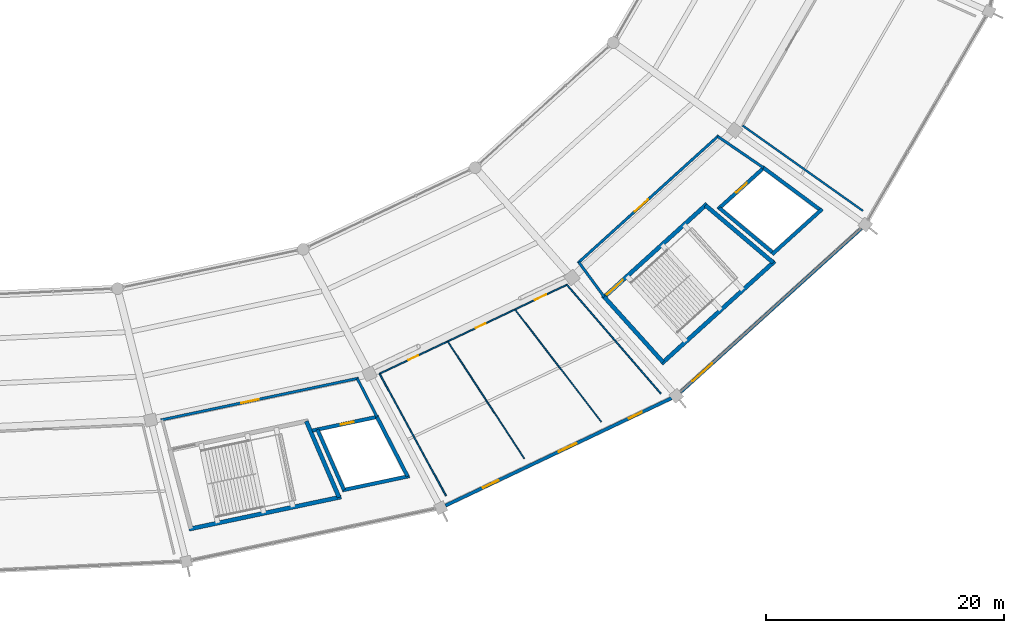
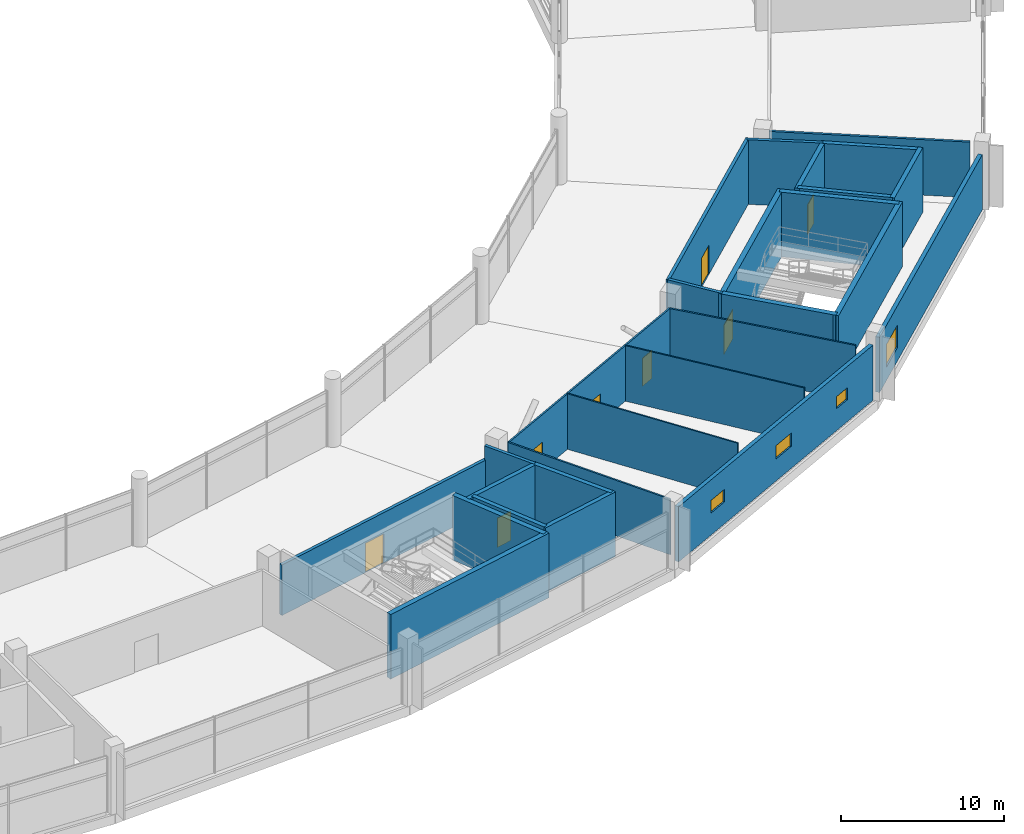
# One storey, part 147 of 184: 27 walls, 8 doors, 4 windows, 12 openings.
"""IFC4 building model written with IfcOpenShell, lengths in metres."""

from ifc_helpers import new_model, si_unit, direction, frame, frame_2d, origin, place, context, subcontext, project, spatial, rectangle, extrude, material, layer, layer_set, type_object, element, fill, save


model = new_model("IFC4")

# Units and contexts
model_context = context("Model", 3, precision=1e-05, world=origin(), true_north=direction((0.0, 1.0)))
body_context = subcontext(model_context, "Body", "Model", "MODEL_VIEW")
ifc_project = project(units=[si_unit("LENGTHUNIT", "METRE"), si_unit("AREAUNIT", "SQUARE_METRE"), si_unit("VOLUMEUNIT", "CUBIC_METRE"), si_unit("PLANEANGLEUNIT", "RADIAN"), si_unit("MASSUNIT", "GRAM", prefix="KILO")], contexts=[model_context])

# Site, building, storey
site_placement = place(None, origin())
site = spatial("IfcSite", under=ifc_project, at=site_placement, CompositionType="ELEMENT")
building_placement = place(site_placement, origin())
building = spatial("IfcBuilding", under=site, at=building_placement, Name="Kazemori Nagisa Stadium", CompositionType="ELEMENT")
storey_placement = place(building_placement, frame((0.0, 0.0, 10.5400390625)))
storey = spatial("IfcBuildingStorey", under=building, at=storey_placement, Name="L02", CompositionType="ELEMENT", Elevation=10.5400390625)

# Walls
ifc_material_1 = material(Name="Concrete C40/50 (Fc42)", Category="concrete")
ifc_layer_1 = layer(ifc_material_1, 0.35009765625, Name="Concrete C40/50 (Fc42)", Category="concrete")
ifc_layer_set_1 = layer_set([ifc_layer_1], Name="Concrete C40/50 (Fc42)")
wall_type_1 = type_object("IfcWallType", Name="Wall_W-CORE-350", PredefinedType="SHEAR", material=ifc_layer_set_1)
wall_1_placement = place(storey_placement, frame((144.650390625, 19.745849609375, 0.0), z_axis=(0.0, 0.0, 1.0), x_axis=(0.978345119536, 0.206980257705, 0.0)))
element("IfcWall", 1, at=wall_1_placement, inside=storey, type_object=wall_type_1, Name="Core stair rear shear wall ST06 L02", PredefinedType="SHEAR", context=body_context, shape_type="SweptSolid", body=[
    extrude(rectangle(XDim=13.06689453125, YDim=0.35009765625, at=frame_2d((6.533447265625, 0.0))), origin(), (0.0, 0.0, 1.0), 4.83984375),
])
wall_2_placement = place(storey_placement, frame((154.5078125, 28.81396484375, 0.0), z_axis=(0.0, 0.0, 1.0), x_axis=(0.395453834155, -0.918485854574, 0.0)))
element("IfcWall", 2, at=wall_2_placement, inside=storey, type_object=wall_type_1, Name="Core stair right shear wall ST06 L02", PredefinedType="SHEAR", context=body_context, shape_type="SweptSolid", body=[
    extrude(rectangle(XDim=6.967529296875, YDim=0.35009765625, at=frame_2d((3.48388671875, 0.0))), origin(), (0.0, 0.0, 1.0), 4.83984375),
])

# Wall, opening, door
wall_3_placement = place(storey_placement, frame((179.416748046875, 39.139892578125, 0.0), z_axis=(0.0, 0.0, 1.0), x_axis=(0.741348929385, 0.671119784315, 0.0)))
wall_3 = element("IfcWall", 3, at=wall_3_placement, inside=storey, type_object=wall_type_1, Name="Core stair front shear wall ST04 L02", PredefinedType="SHEAR", context=body_context, shape_type="SweptSolid", body=[
    extrude(rectangle(XDim=11.826416015625, YDim=0.35009765625, at=frame_2d((5.9130859375, 0.0))), origin(), (0.0, 0.0, 1.0), 4.83984375),
])
opening_1_placement = place(wall_3_placement, frame((0.47509765625, 0.0, 0.0)))
opening_1 = element("IfcOpeningElement", 4, at=opening_1_placement, cuts=wall_3, Name="Opening D-ST-1800", PredefinedType="OPENING", context=body_context, shape_type="SweptSolid", body=[
    extrude(rectangle(XDim=1.800048828125, YDim=2.199951171875, at=frame_2d((0.89990234375, 1.10009765625))), frame((0.0, 0.18505859375, 0.0), z_axis=(0.0, -1.0, 0.0), x_axis=(1.0, 0.0, 0.0)), (0.0, 0.0, 1.0), 0.3701171875),
])
ifc_material_2 = material(Name="Galvanised steel sheet", Category="steel")
door_type_1 = type_object("IfcDoorType", Name="Door_D-ST-1800", OperationType="NOTDEFINED", PredefinedType="DOOR", material=ifc_material_2)
door_1_placement = place(opening_1_placement, frame((1.800048828125, 0.0, 0.0), z_axis=(0.0, 0.0, 1.0), x_axis=(-1.0, 0.0, 0.0)))
door_1 = element("IfcDoor", 5, at=door_1_placement, inside=storey, type_object=door_type_1, Name="Exit stair fire door ST04-L02", OperationType="SINGLE_SWING_LEFT", OverallHeight=2.199951171875, OverallWidth=1.800048828125, PredefinedType="DOOR", context=body_context, shape_type="SweptSolid", body=[
    extrude(rectangle(XDim=1.800048828125, YDim=2.199951171875, at=frame_2d((0.89990234375, 1.10009765625))), frame((0.0, 0.02490234375, 0.0), z_axis=(0.0, -1.0, 0.0), x_axis=(1.0, 0.0, 0.0)), (0.0, 0.0, 1.0), 0.050048828125),
])
fill(opening_1, door_1)

# Walls
wall_4_placement = place(storey_placement, frame((184.361328125, 33.6533203125, 0.0), z_axis=(0.0, 0.0, 1.0), x_axis=(0.741351373721, 0.671117084183, 0.0)))
element("IfcWall", 6, at=wall_4_placement, inside=storey, type_object=wall_type_1, Name="Core stair rear shear wall ST04 L02", PredefinedType="SHEAR", context=body_context, shape_type="SweptSolid", body=[
    extrude(rectangle(XDim=12.830322265625, YDim=0.35009765625, at=frame_2d((6.4150390625, 0.0))), origin(), (0.0, 0.0, 1.0), 4.83984375),
])
wall_5_placement = place(storey_placement, frame((179.54638671875, 39.25732421875, 0.0), z_axis=(0.0, 0.0, 1.0), x_axis=(0.669463145673, -0.742845270958, 0.0)))
element("IfcWall", 7, at=wall_5_placement, inside=storey, type_object=wall_type_1, Name="Core stair left shear wall ST04 L02", PredefinedType="SHEAR", context=body_context, shape_type="SweptSolid", body=[
    extrude(rectangle(XDim=7.385986328125, YDim=0.35009765625, at=frame_2d((3.69287109375, 0.0))), origin(), (0.0, 0.0, 1.0), 4.83984375),
])
wall_6_placement = place(storey_placement, frame((188.0546875, 46.95947265625, 0.0), z_axis=(0.0, 0.0, 1.0), x_axis=(0.763422324031, -0.64589964791, 0.0)))
element("IfcWall", 8, at=wall_6_placement, inside=storey, type_object=wall_type_1, Name="Core stair right shear wall ST04 L02", PredefinedType="SHEAR", context=body_context, shape_type="SweptSolid", body=[
    extrude(rectangle(XDim=7.45166015625, YDim=0.35009765625, at=frame_2d((3.725830078125, 0.0))), origin(), (0.0, 0.0, 1.0), 4.83984375),
])

# Wall, openings, windows
ifc_material_3 = material(Name="Concrete C40/50 (Fc42) precast", Category="concrete")
ifc_layer_2 = layer(ifc_material_3, 0.27490234375, Name="Concrete C40/50 (Fc42) precast", Category="concrete")
ifc_layer_set_2 = layer_set([ifc_layer_2], Name="Concrete C40/50 (Fc42) precast")
wall_type_2 = type_object("IfcWallType", Name="Wall_W-EXT-275", PredefinedType="SOLIDWALL", material=ifc_layer_set_2)
wall_7_placement = place(storey_placement, frame((166.2021484375, 21.724609375, 0.0), z_axis=(0.0, 0.0, 1.0), x_axis=(0.903214855299, 0.429188682478, 0.0)))
wall_7 = element("IfcWall", 9, at=wall_7_placement, inside=storey, type_object=wall_type_2, Name="Exterior facade wall L02-24", PredefinedType="SOLIDWALL", context=body_context, shape_type="SweptSolid", body=[
    extrude(rectangle(XDim=21.0341796875, YDim=0.27490234375, at=frame_2d((10.51708984375, 0.0))), origin(), (0.0, 0.0, 1.0), 4.137939453125),
])
opening_2_placement = place(wall_7_placement, frame((3.48193359375, 0.0, 1.64990234375)))
opening_2 = element("IfcOpeningElement", 10, at=opening_2_placement, cuts=wall_7, Name="Opening WIN-WC-1450", PredefinedType="OPENING", context=body_context, shape_type="SweptSolid", body=[
    extrude(rectangle(XDim=1.449951171875, YDim=0.949951171875, at=frame_2d((0.72509765625, 0.47509765625))), frame((0.0, 0.1474609375, 0.0), z_axis=(0.0, -1.0, 0.0), x_axis=(1.0, 0.0, 0.0)), (0.0, 0.0, 1.0), 0.294921875),
])
opening_3_placement = place(wall_7_placement, frame((10.532958984375, 0.0, 1.64990234375)))
opening_3 = element("IfcOpeningElement", 11, at=opening_3_placement, cuts=wall_7, Name="Opening WIN-WC-1650", PredefinedType="OPENING", context=body_context, shape_type="SweptSolid", body=[
    extrude(rectangle(XDim=1.64990234375, YDim=1.0, at=frame_2d((0.824951171875, 0.5))), frame((0.0, 0.1474609375, 0.0), z_axis=(0.0, -1.0, 0.0), x_axis=(1.0, 0.0, 0.0)), (0.0, 0.0, 1.0), 0.294921875),
])
opening_4_placement = place(wall_7_placement, frame((17.069091796875, 0.0, 1.64990234375)))
opening_4 = element("IfcOpeningElement", 12, at=opening_4_placement, cuts=wall_7, Name="Opening WIN-WC-1200", PredefinedType="OPENING", context=body_context, shape_type="SweptSolid", body=[
    extrude(rectangle(XDim=1.199951171875, YDim=0.89990234375, at=frame_2d((0.60009765625, 0.449951171875))), frame((0.0, 0.1474609375, 0.0), z_axis=(0.0, -1.0, 0.0), x_axis=(1.0, 0.0, 0.0)), (0.0, 0.0, 1.0), 0.294921875),
])
ifc_material_4 = material(Name="Low-e laminated double glazing", Category="glass")
window_type_1 = type_object("IfcWindowType", Name="Window_WIN-WC-1200", PartitioningType="SINGLE_PANEL", PredefinedType="WINDOW", material=ifc_material_4)
window_1_placement = place(opening_4_placement, origin())
window_1 = element("IfcWindow", 13, at=window_1_placement, inside=storey, type_object=window_type_1, Name="Sanitary clerestory window L02-24-3", OverallHeight=0.89990234375, OverallWidth=1.199951171875, PartitioningType="SINGLE_PANEL", PredefinedType="WINDOW", context=body_context, shape_type="SweptSolid", body=[
    extrude(rectangle(XDim=1.199951171875, YDim=0.89990234375, at=frame_2d((0.60009765625, 0.449951171875))), frame((0.0, 0.030029296875, 0.0), z_axis=(0.0, -1.0, 0.0), x_axis=(1.0, 0.0, 0.0)), (0.0, 0.0, 1.0), 0.06005859375),
])
fill(opening_4, window_1)
window_type_2 = type_object("IfcWindowType", Name="Window_WIN-WC-1450", PartitioningType="SINGLE_PANEL", PredefinedType="WINDOW", material=ifc_material_4)
window_2_placement = place(opening_2_placement, origin())
window_2 = element("IfcWindow", 14, at=window_2_placement, inside=storey, type_object=window_type_2, Name="Sanitary clerestory window L02-24-1", OverallHeight=0.949951171875, OverallWidth=1.449951171875, PartitioningType="SINGLE_PANEL", PredefinedType="WINDOW", context=body_context, shape_type="SweptSolid", body=[
    extrude(rectangle(XDim=1.449951171875, YDim=0.949951171875, at=frame_2d((0.72509765625, 0.47509765625))), frame((0.0, 0.030029296875, 0.0), z_axis=(0.0, -1.0, 0.0), x_axis=(1.0, 0.0, 0.0)), (0.0, 0.0, 1.0), 0.06005859375),
])
fill(opening_2, window_2)
window_type_3 = type_object("IfcWindowType", Name="Window_WIN-WC-1650", PartitioningType="SINGLE_PANEL", PredefinedType="WINDOW", material=ifc_material_4)
window_3_placement = place(opening_3_placement, origin())
window_3 = element("IfcWindow", 15, at=window_3_placement, inside=storey, type_object=window_type_3, Name="Sanitary clerestory window L02-24-2", OverallHeight=1.0, OverallWidth=1.64990234375, PartitioningType="SINGLE_PANEL", PredefinedType="WINDOW", context=body_context, shape_type="SweptSolid", body=[
    extrude(rectangle(XDim=1.64990234375, YDim=1.0, at=frame_2d((0.824951171875, 0.5))), frame((0.0, 0.030029296875, 0.0), z_axis=(0.0, -1.0, 0.0), x_axis=(1.0, 0.0, 0.0)), (0.0, 0.0, 1.0), 0.06005859375),
])
fill(opening_3, window_3)

# Wall, opening, window
wall_8_placement = place(storey_placement, frame((185.924072265625, 31.236328125, 0.0), z_axis=(0.0, 0.0, 1.0), x_axis=(0.741352367697, 0.671115986183, 0.0)))
wall_8 = element("IfcWall", 16, at=wall_8_placement, inside=storey, type_object=wall_type_2, Name="Exterior facade wall L02-25", PredefinedType="SOLIDWALL", context=body_context, shape_type="SweptSolid", body=[
    extrude(rectangle(XDim=20.56396484375, YDim=0.27490234375, at=frame_2d((10.281982421875, 0.0))), origin(), (0.0, 0.0, 1.0), 4.137939453125),
])
opening_5_placement = place(wall_8_placement, frame((1.39990234375, 0.0, 1.0)))
opening_5 = element("IfcOpeningElement", 17, at=opening_5_placement, cuts=wall_8, Name="Opening WIN-L02-2200", PredefinedType="OPENING", context=body_context, shape_type="SweptSolid", body=[
    extrude(rectangle(XDim=2.199951171875, YDim=1.699951171875, at=frame_2d((1.10009765625, 0.85009765625))), frame((0.0, 0.1474609375, 0.0), z_axis=(0.0, -1.0, 0.0), x_axis=(1.0, 0.0, 0.0)), (0.0, 0.0, 1.0), 0.294921875),
])
window_type_4 = type_object("IfcWindowType", Name="Window_WIN-L02-2200", PartitioningType="SINGLE_PANEL", PredefinedType="WINDOW", material=ifc_material_4)
window_4_placement = place(opening_5_placement, origin())
window_4 = element("IfcWindow", 18, at=window_4_placement, inside=storey, type_object=window_type_4, Name="Core lobby window L02-25", OverallHeight=1.699951171875, OverallWidth=2.199951171875, PartitioningType="SINGLE_PANEL", PredefinedType="WINDOW", context=body_context, shape_type="SweptSolid", body=[
    extrude(rectangle(XDim=2.199951171875, YDim=1.699951171875, at=frame_2d((1.10009765625, 0.85009765625))), frame((0.0, 0.030029296875, 0.0), z_axis=(0.0, -1.0, 0.0), x_axis=(1.0, 0.0, 0.0)), (0.0, 0.0, 1.0), 0.06005859375),
])
fill(opening_5, window_4)

# Wall, opening, door
ifc_material_5 = material(Name="Concrete C36/45 (Fc36)", Category="concrete")
ifc_layer_3 = layer(ifc_material_5, 0.219970703125, Name="Concrete C36/45 (Fc36)", Category="concrete")
ifc_layer_set_3 = layer_set([ifc_layer_3], Name="Concrete C36/45 (Fc36)")
wall_type_3 = type_object("IfcWallType", Name="Wall_W-LOBBY-220", PredefinedType="SOLIDWALL", material=ifc_layer_set_3)
wall_9_placement = place(storey_placement, frame((142.284423828125, 28.91357421875, 0.0), z_axis=(0.0, 0.0, 1.0), x_axis=(0.97834522483, 0.206979760008, 0.0)))
wall_9 = element("IfcWall", 19, at=wall_9_placement, inside=storey, type_object=wall_type_3, Name="Core lobby fire wall ST06 L02", PredefinedType="SOLIDWALL", context=body_context, shape_type="SweptSolid", body=[
    extrude(rectangle(XDim=16.98291015625, YDim=0.219970703125, at=frame_2d((8.491455078125, 0.0))), origin(), (0.0, 0.0, 1.0), 3.787841796875),
])
opening_6_placement = place(wall_9_placement, frame((6.903076171875, 0.0, 0.0)))
opening_6 = element("IfcOpeningElement", 20, at=opening_6_placement, cuts=wall_9, Name="Opening D-FFL-1500", PredefinedType="OPENING", context=body_context, shape_type="SweptSolid", body=[
    extrude(rectangle(XDim=1.5, YDim=2.199951171875, at=frame_2d((0.75, 1.10009765625))), frame((0.0, 0.119873046875, 0.0), z_axis=(0.0, -1.0, 0.0), x_axis=(1.0, 0.0, 0.0)), (0.0, 0.0, 1.0), 0.239990234375),
])
door_type_2 = type_object("IfcDoorType", Name="Door_D-FFL-1500", OperationType="NOTDEFINED", PredefinedType="DOOR", material=ifc_material_2)
door_2_placement = place(opening_6_placement, frame((1.5, 0.0, 0.0), z_axis=(0.0, 0.0, 1.0), x_axis=(-1.0, 0.0, 0.0)))
door_2 = element("IfcDoor", 21, at=door_2_placement, inside=storey, type_object=door_type_2, Name="Protected lobby fire door ST06-L02", OperationType="DOUBLE_DOOR_SINGLE_SWING", OverallHeight=2.199951171875, OverallWidth=1.5, PredefinedType="DOOR", context=body_context, shape_type="SweptSolid", body=[
    extrude(rectangle(XDim=1.5, YDim=2.199951171875, at=frame_2d((0.75, 1.10009765625))), frame((0.0, 0.02490234375, 0.0), z_axis=(0.0, -1.0, 0.0), x_axis=(1.0, 0.0, 0.0)), (0.0, 0.0, 1.0), 0.050048828125),
])
fill(opening_6, door_2)

# Wall
wall_10_placement = place(storey_placement, frame((158.7919921875, 32.406005859375, 0.0), z_axis=(0.0, 0.0, 1.0), x_axis=(0.457349531643, -0.889287021105, 0.0)))
element("IfcWall", 22, at=wall_10_placement, inside=storey, type_object=wall_type_3, Name="Core lobby right wall ST06 L02", PredefinedType="SOLIDWALL", context=body_context, shape_type="SweptSolid", body=[
    extrude(rectangle(XDim=3.631591796875, YDim=0.219970703125, at=frame_2d((1.81591796875, 0.0))), origin(), (0.0, 0.0, 1.0), 4.83984375),
])

# Wall, opening, door
wall_11_placement = place(storey_placement, frame((177.327392578125, 42.10205078125, 0.0), z_axis=(0.0, 0.0, 1.0), x_axis=(0.741351035574, 0.671117457717, 0.0)))
wall_11 = element("IfcWall", 23, at=wall_11_placement, inside=storey, type_object=wall_type_3, Name="Core lobby fire wall ST04 L02", PredefinedType="SOLIDWALL", context=body_context, shape_type="SweptSolid", body=[
    extrude(rectangle(XDim=15.96923828125, YDim=0.219970703125, at=frame_2d((7.984619140625, 0.0))), origin(), (0.0, 0.0, 1.0), 4.83984375),
])
opening_7_placement = place(wall_11_placement, frame((6.447021484375, 0.0, 0.0)))
opening_7 = element("IfcOpeningElement", 24, at=opening_7_placement, cuts=wall_11, Name="Opening D-FFL-1500", PredefinedType="OPENING", context=body_context, shape_type="SweptSolid", body=[
    extrude(rectangle(XDim=1.5, YDim=2.199951171875, at=frame_2d((0.75, 1.10009765625))), frame((0.0, 0.119873046875, 0.0), z_axis=(0.0, -1.0, 0.0), x_axis=(1.0, 0.0, 0.0)), (0.0, 0.0, 1.0), 0.239990234375),
])
door_3_placement = place(opening_7_placement, frame((1.5, 0.0, 0.0), z_axis=(0.0, 0.0, 1.0), x_axis=(-1.0, 0.0, 0.0)))
door_3 = element("IfcDoor", 25, at=door_3_placement, inside=storey, type_object=door_type_2, Name="Protected lobby fire door ST04-L02", OperationType="DOUBLE_DOOR_SINGLE_SWING", OverallHeight=2.199951171875, OverallWidth=1.5, PredefinedType="DOOR", context=body_context, shape_type="SweptSolid", body=[
    extrude(rectangle(XDim=1.5, YDim=2.199951171875, at=frame_2d((0.75, 1.10009765625))), frame((0.0, 0.02490234375, 0.0), z_axis=(0.0, -1.0, 0.0), x_axis=(1.0, 0.0, 0.0)), (0.0, 0.0, 1.0), 0.050048828125),
])
fill(opening_7, door_3)

# Walls
wall_12_placement = place(storey_placement, frame((177.408935546875, 42.176025390625, 0.0), z_axis=(0.0, 0.0, 1.0), x_axis=(0.590836915359, -0.806791013491, 0.0)))
element("IfcWall", 26, at=wall_12_placement, inside=storey, type_object=wall_type_3, Name="Core lobby left wall ST04 L02", PredefinedType="SOLIDWALL", context=body_context, shape_type="SweptSolid", body=[
    extrude(rectangle(XDim=3.61767578125, YDim=0.219970703125, at=frame_2d((1.808837890625, 0.0))), origin(), (0.0, 0.0, 1.0), 4.83984375),
])
wall_13_placement = place(storey_placement, frame((189.084716796875, 52.74560546875, 0.0), z_axis=(0.0, 0.0, 1.0), x_axis=(0.825385410642, -0.564569680287, 0.0)))
element("IfcWall", 27, at=wall_13_placement, inside=storey, type_object=wall_type_3, Name="Core lobby right wall ST04 L02", PredefinedType="SOLIDWALL", context=body_context, shape_type="SweptSolid", body=[
    extrude(rectangle(XDim=4.673828125, YDim=0.219970703125, at=frame_2d((2.3369140625, 0.0))), origin(), (0.0, 0.0, 1.0), 4.83984375),
])
ifc_material_6 = material(Name="High-pressure phenolic compact laminate", Category="gypsum")
ifc_layer_4 = layer(ifc_material_6, 0.10009765625, Name="High-pressure phenolic compact laminate", Category="gypsum")
ifc_layer_set_4 = layer_set([ifc_layer_4], Name="High-pressure phenolic compact laminate")
wall_type_4 = type_object("IfcWallType", Name="Wall_W-PART-100", PredefinedType="PARTITIONING", material=ifc_layer_set_4)
wall_14_placement = place(storey_placement, frame((166.394287109375, 35.525146484375, 0.0), z_axis=(0.0, 0.0, 1.0), x_axis=(0.546626140003, -0.837376774854, 0.0)))
element("IfcWall", 28, at=wall_14_placement, inside=storey, type_object=wall_type_4, Name="Sanitary divider partition L02-B24-1", PredefinedType="PARTITIONING", context=body_context, shape_type="SweptSolid", body=[
    extrude(rectangle(XDim=11.7607421875, YDim=0.10009765625, at=frame_2d((5.88037109375, 0.0))), origin(), (0.0, 0.0, 1.0), 4.159912109375),
])
wall_15_placement = place(storey_placement, frame((172.04248046875, 38.209228515625, 0.0), z_axis=(0.0, 0.0, 1.0), x_axis=(0.609492992165, -0.792791455871, 0.0)))
element("IfcWall", 29, at=wall_15_placement, inside=storey, type_object=wall_type_4, Name="Sanitary divider partition L02-B24-2", PredefinedType="PARTITIONING", context=body_context, shape_type="SweptSolid", body=[
    extrude(rectangle(XDim=11.920654296875, YDim=0.10009765625, at=frame_2d((5.96044921875, 0.0))), origin(), (0.0, 0.0, 1.0), 4.159912109375),
])

# Wall, openings, doors
ifc_material_7 = material(Name="Moisture-resistant gypsum board", Category="gypsum")
ifc_layer_5 = layer(ifc_material_7, 0.114990234375, Name="Moisture-resistant gypsum board", Category="gypsum")
ifc_layer_set_5 = layer_set([ifc_layer_5], Name="Moisture-resistant gypsum board")
wall_type_5 = type_object("IfcWallType", Name="Wall_W-PART-115", PredefinedType="PARTITIONING", material=ifc_layer_set_5)
wall_16_placement = place(storey_placement, frame((160.667236328125, 32.803955078125, 0.0), z_axis=(0.0, 0.0, 1.0), x_axis=(0.903217202186, 0.429183743488, 0.0)))
wall_16 = element("IfcWall", 30, at=wall_16_placement, inside=storey, type_object=wall_type_5, Name="Sanitary block corridor partition L02-B24", PredefinedType="PARTITIONING", context=body_context, shape_type="SweptSolid", body=[
    extrude(rectangle(XDim=17.419189453125, YDim=0.114990234375, at=frame_2d((8.70947265625, 0.0))), origin(), (0.0, 0.0, 1.0), 4.159912109375),
])
opening_8_placement = place(wall_16_placement, frame((2.68505859375, 0.0, 0.0)))
opening_8 = element("IfcOpeningElement", 31, at=opening_8_placement, cuts=wall_16, Name="Opening D-WC-900", PredefinedType="OPENING", context=body_context, shape_type="SweptSolid", body=[
    extrude(rectangle(XDim=0.89990234375, YDim=2.10009765625, at=frame_2d((0.449951171875, 1.050048828125))), frame((0.0, 0.0673828125, 0.0), z_axis=(0.0, -1.0, 0.0), x_axis=(1.0, 0.0, 0.0)), (0.0, 0.0, 1.0), 0.135009765625),
])
opening_9_placement = place(wall_16_placement, frame((8.9560546875, 0.0, 0.0)))
opening_9 = element("IfcOpeningElement", 32, at=opening_9_placement, cuts=wall_16, Name="Opening D-WC-900", PredefinedType="OPENING", context=body_context, shape_type="SweptSolid", body=[
    extrude(rectangle(XDim=0.89990234375, YDim=2.10009765625, at=frame_2d((0.449951171875, 1.050048828125))), frame((0.0, 0.0673828125, 0.0), z_axis=(0.0, -1.0, 0.0), x_axis=(1.0, 0.0, 0.0)), (0.0, 0.0, 1.0), 0.135009765625),
])
opening_10_placement = place(wall_16_placement, frame((14.455078125, 0.0, 0.0)))
opening_10 = element("IfcOpeningElement", 33, at=opening_10_placement, cuts=wall_16, Name="Opening D-AWC-1050", PredefinedType="OPENING", context=body_context, shape_type="SweptSolid", body=[
    extrude(rectangle(XDim=1.050048828125, YDim=2.10009765625, at=frame_2d((0.52490234375, 1.050048828125))), frame((0.0, 0.0673828125, 0.0), z_axis=(0.0, -1.0, 0.0), x_axis=(1.0, 0.0, 0.0)), (0.0, 0.0, 1.0), 0.135009765625),
])
ifc_material_8 = material(Name="High-pressure laminate on timber core", Category="wood")
door_type_3 = type_object("IfcDoorType", Name="Door_D-AWC-1050", OperationType="NOTDEFINED", PredefinedType="DOOR", material=ifc_material_8)
door_4_placement = place(opening_10_placement, origin())
door_4 = element("IfcDoor", 34, at=door_4_placement, inside=storey, type_object=door_type_3, Name="AWC entrance door L02-B24", OperationType="SINGLE_SWING_LEFT", OverallHeight=2.10009765625, OverallWidth=1.050048828125, PredefinedType="DOOR", context=body_context, shape_type="SweptSolid", body=[
    extrude(rectangle(XDim=1.050048828125, YDim=2.10009765625, at=frame_2d((0.52490234375, 1.050048828125))), frame((0.0, 0.02490234375, 0.0), z_axis=(0.0, -1.0, 0.0), x_axis=(1.0, 0.0, 0.0)), (0.0, 0.0, 1.0), 0.050048828125),
])
fill(opening_10, door_4)
door_type_4 = type_object("IfcDoorType", Name="Door_D-WC-900", OperationType="NOTDEFINED", PredefinedType="DOOR", material=ifc_material_8)
door_5_placement = place(opening_8_placement, origin())
door_5 = element("IfcDoor", 35, at=door_5_placement, inside=storey, type_object=door_type_4, Name="MWC entrance door L02-B24", OperationType="SINGLE_SWING_LEFT", OverallHeight=2.10009765625, OverallWidth=0.89990234375, PredefinedType="DOOR", context=body_context, shape_type="SweptSolid", body=[
    extrude(rectangle(XDim=0.89990234375, YDim=2.10009765625, at=frame_2d((0.449951171875, 1.050048828125))), frame((0.0, 0.02490234375, 0.0), z_axis=(0.0, -1.0, 0.0), x_axis=(1.0, 0.0, 0.0)), (0.0, 0.0, 1.0), 0.050048828125),
])
fill(opening_8, door_5)
door_6_placement = place(opening_9_placement, origin())
door_6 = element("IfcDoor", 36, at=door_6_placement, inside=storey, type_object=door_type_4, Name="FWC entrance door L02-B24", OperationType="SINGLE_SWING_RIGHT", OverallHeight=2.10009765625, OverallWidth=0.89990234375, PredefinedType="DOOR", context=body_context, shape_type="SweptSolid", body=[
    extrude(rectangle(XDim=0.89990234375, YDim=2.10009765625, at=frame_2d((0.449951171875, 1.050048828125))), frame((0.0, 0.02490234375, 0.0), z_axis=(0.0, -1.0, 0.0), x_axis=(1.0, 0.0, 0.0)), (0.0, 0.0, 1.0), 0.050048828125),
])
fill(opening_9, door_6)

# Walls
wall_17_placement = place(storey_placement, frame((160.667236328125, 32.803955078125, 0.0), z_axis=(0.0, 0.0, 1.0), x_axis=(0.478125060974, -0.878291765912, 0.0)))
element("IfcWall", 37, at=wall_17_placement, inside=storey, type_object=wall_type_5, Name="Sanitary block L partition L02-B24", PredefinedType="PARTITIONING", context=body_context, shape_type="SweptSolid", body=[
    extrude(rectangle(XDim=11.671875, YDim=0.114990234375, at=frame_2d((5.8359375, 0.0))), origin(), (0.0, 0.0, 1.0), 4.159912109375),
])
wall_18_placement = place(storey_placement, frame((176.400634765625, 40.280029296875, 0.0), z_axis=(0.0, 0.0, 1.0), x_axis=(0.654293035882, -0.756241114458, 0.0)))
element("IfcWall", 38, at=wall_18_placement, inside=storey, type_object=wall_type_5, Name="Sanitary block R partition L02-B24", PredefinedType="PARTITIONING", context=body_context, shape_type="SweptSolid", body=[
    extrude(rectangle(XDim=12.091064453125, YDim=0.114990234375, at=frame_2d((6.04541015625, 0.0))), origin(), (0.0, 0.0, 1.0), 4.159912109375),
])
ifc_material_9 = material(Name="Gypsum plasterboard", Category="gypsum")
ifc_layer_6 = layer(ifc_material_9, 0.1650390625, Name="Gypsum plasterboard", Category="gypsum")
ifc_layer_set_6 = layer_set([ifc_layer_6], Name="Gypsum plasterboard")
wall_type_6 = type_object("IfcWallType", Name="Wall_W-PART-165", PredefinedType="PARTITIONING", material=ifc_layer_set_6)
wall_19_placement = place(storey_placement, frame((191.178955078125, 53.658447265625, 0.0), z_axis=(0.0, 0.0, 1.0), x_axis=(0.815753527099, -0.578399674122, 0.0)))
element("IfcWall", 39, at=wall_19_placement, inside=storey, type_object=wall_type_6, Name="Room radial partition L02-B26-L", PredefinedType="PARTITIONING", context=body_context, shape_type="SweptSolid", body=[
    extrude(rectangle(XDim=12.38232421875, YDim=0.1650390625, at=frame_2d((6.191162109375, 0.0))), origin(), (0.0, 0.0, 1.0), 4.159912109375),
])

# Wall, opening, door
ifc_layer_7 = layer(ifc_material_1, 0.300048828125, Name="Concrete C40/50 (Fc42)", Category="concrete")
ifc_layer_set_7 = layer_set([ifc_layer_7], Name="Concrete C40/50 (Fc42)")
wall_type_7 = type_object("IfcWallType", Name="Wall_W-SHAFT-300", PredefinedType="SHEAR", material=ifc_layer_set_7)
wall_20_placement = place(storey_placement, frame((154.999267578125, 28.022705078125, 0.0), z_axis=(0.0, 0.0, 1.0), x_axis=(0.978345218992, 0.206979787601, 0.0)))
wall_20 = element("IfcWall", 40, at=wall_20_placement, inside=storey, type_object=wall_type_7, Name="Lift shaft front wall LP2 L02", PredefinedType="SHEAR", context=body_context, shape_type="SweptSolid", body=[
    extrude(rectangle(XDim=5.724365234375, YDim=0.300048828125, at=frame_2d((2.8623046875, 0.0))), origin(), (0.0, 0.0, 1.0), 4.83984375),
])
opening_11_placement = place(wall_20_placement, frame((2.4619140625, 0.0, 0.0)))
opening_11 = element("IfcOpeningElement", 41, at=opening_11_placement, cuts=wall_20, Name="Opening LD-PAX", PredefinedType="OPENING", context=body_context, shape_type="SweptSolid", body=[
    extrude(rectangle(XDim=1.10009765625, YDim=2.199951171875, at=frame_2d((0.550048828125, 1.10009765625))), frame((0.0, 0.159912109375, 0.0), z_axis=(0.0, -1.0, 0.0), x_axis=(1.0, 0.0, 0.0)), (0.0, 0.0, 1.0), 0.320068359375),
])
ifc_material_10 = material(Name="Stainless steel SUS304", Category="steel")
door_type_5 = type_object("IfcDoorType", Name="Door_LD-PAX", OperationType="SLIDING_TO_RIGHT", PredefinedType="DOOR", material=ifc_material_10)
door_7_placement = place(opening_11_placement, origin())
door_7 = element("IfcDoor", 42, at=door_7_placement, inside=storey, type_object=door_type_5, Name="Lift landing door LP2-L02", OperationType="SLIDING_TO_RIGHT", OverallHeight=2.199951171875, OverallWidth=1.10009765625, PredefinedType="DOOR", context=body_context, shape_type="SweptSolid", body=[
    extrude(rectangle(XDim=1.10009765625, YDim=2.199951171875, at=frame_2d((0.550048828125, 1.10009765625))), frame((0.0, 0.02490234375, 0.0), z_axis=(0.0, -1.0, 0.0), x_axis=(1.0, 0.0, 0.0)), (0.0, 0.0, 1.0), 0.050048828125),
])
fill(opening_11, door_7)

# Walls
wall_21_placement = place(storey_placement, frame((157.522705078125, 23.00634765625, 0.0), z_axis=(0.0, 0.0, 1.0), x_axis=(0.978347069901, 0.206971038591, 0.0)))
element("IfcWall", 43, at=wall_21_placement, inside=storey, type_object=wall_type_7, Name="Lift shaft B wall LP2 L02", PredefinedType="SHEAR", context=body_context, shape_type="SweptSolid", body=[
    extrude(rectangle(XDim=5.7763671875, YDim=0.300048828125, at=frame_2d((2.88818359375, 0.0))), origin(), (0.0, 0.0, 1.0), 4.83984375),
])
wall_22_placement = place(storey_placement, frame((155.439697265625, 28.115966796875, 0.0), z_axis=(0.0, 0.0, 1.0), x_axis=(0.402005363577, -0.915637312289, 0.0)))
element("IfcWall", 44, at=wall_22_placement, inside=storey, type_object=wall_type_7, Name="Lift shaft L wall LP2 L02", PredefinedType="SHEAR", context=body_context, shape_type="SweptSolid", body=[
    extrude(rectangle(XDim=5.546630859375, YDim=0.300048828125, at=frame_2d((2.7734375, 0.0))), origin(), (0.0, 0.0, 1.0), 4.83984375),
])
wall_23_placement = place(storey_placement, frame((160.452880859375, 29.176513671875, 0.0), z_axis=(0.0, 0.0, 1.0), x_axis=(0.457368592987, -0.889277217829, 0.0)))
element("IfcWall", 45, at=wall_23_placement, inside=storey, type_object=wall_type_7, Name="Lift shaft R wall LP2 L02", PredefinedType="SHEAR", context=body_context, shape_type="SweptSolid", body=[
    extrude(rectangle(XDim=5.62890625, YDim=0.300048828125, at=frame_2d((2.814453125, 0.0))), origin(), (0.0, 0.0, 1.0), 4.83984375),
])

# Wall, opening, door
wall_24_placement = place(storey_placement, frame((189.10302734375, 46.631103515625, 0.0), z_axis=(0.0, 0.0, 1.0), x_axis=(0.741350155641, 0.671118429736, 0.0)))
wall_24 = element("IfcWall", 46, at=wall_24_placement, inside=storey, type_object=wall_type_7, Name="Lift shaft front wall FL4 L02", PredefinedType="SHEAR", context=body_context, shape_type="SweptSolid", body=[
    extrude(rectangle(XDim=5.3291015625, YDim=0.300048828125, at=frame_2d((2.66455078125, 0.0))), origin(), (0.0, 0.0, 1.0), 4.83984375),
])
opening_12_placement = place(wall_24_placement, frame((2.06494140625, 0.0, 0.0)))
opening_12 = element("IfcOpeningElement", 47, at=opening_12_placement, cuts=wall_24, Name="Opening LD-FF", PredefinedType="OPENING", context=body_context, shape_type="SweptSolid", body=[
    extrude(rectangle(XDim=1.199951171875, YDim=2.199951171875, at=frame_2d((0.60009765625, 1.10009765625))), frame((0.0, 0.159912109375, 0.0), z_axis=(0.0, -1.0, 0.0), x_axis=(1.0, 0.0, 0.0)), (0.0, 0.0, 1.0), 0.320068359375),
])
door_type_6 = type_object("IfcDoorType", Name="Door_LD-FF", OperationType="SLIDING_TO_LEFT", PredefinedType="DOOR", material=ifc_material_10)
door_8_placement = place(opening_12_placement, origin())
door_8 = element("IfcDoor", 48, at=door_8_placement, inside=storey, type_object=door_type_6, Name="Lift landing door FL4-L02", OperationType="SLIDING_TO_LEFT", OverallHeight=2.199951171875, OverallWidth=1.199951171875, PredefinedType="DOOR", context=body_context, shape_type="SweptSolid", body=[
    extrude(rectangle(XDim=1.199951171875, YDim=2.199951171875, at=frame_2d((0.60009765625, 1.10009765625))), frame((0.0, 0.02490234375, 0.0), z_axis=(0.0, -1.0, 0.0), x_axis=(1.0, 0.0, 0.0)), (0.0, 0.0, 1.0), 0.050048828125),
])
fill(opening_12, door_8)

# Walls
wall_25_placement = place(storey_placement, frame((193.654296875, 42.832275390625, 0.0), z_axis=(0.0, 0.0, 1.0), x_axis=(0.74134208775, 0.671127341815, 0.0)))
element("IfcWall", 49, at=wall_25_placement, inside=storey, type_object=wall_type_7, Name="Lift shaft B wall FL4 L02", PredefinedType="SHEAR", context=body_context, shape_type="SweptSolid", body=[
    extrude(rectangle(XDim=5.674560546875, YDim=0.300048828125, at=frame_2d((2.83740234375, 0.0))), origin(), (0.0, 0.0, 1.0), 4.83984375),
])
wall_26_placement = place(storey_placement, frame((189.214111328125, 46.73193359375, 0.0), z_axis=(0.0, 0.0, 1.0), x_axis=(0.767711354146, -0.640795815151, 0.0)))
element("IfcWall", 50, at=wall_26_placement, inside=storey, type_object=wall_type_7, Name="Lift shaft L wall FL4 L02", PredefinedType="SHEAR", context=body_context, shape_type="SweptSolid", body=[
    extrude(rectangle(XDim=5.9287109375, YDim=0.300048828125, at=frame_2d((2.96435546875, 0.0))), origin(), (0.0, 0.0, 1.0), 4.83984375),
])
wall_27_placement = place(storey_placement, frame((192.9423828125, 50.10693359375, 0.0), z_axis=(0.0, 0.0, 1.0), x_axis=(0.803101805449, -0.59584183311, 0.0)))
element("IfcWall", 51, at=wall_27_placement, inside=storey, type_object=wall_type_7, Name="Lift shaft R wall FL4 L02", PredefinedType="SHEAR", context=body_context, shape_type="SweptSolid", body=[
    extrude(rectangle(XDim=5.986328125, YDim=0.300048828125, at=frame_2d((2.9931640625, 0.0))), origin(), (0.0, 0.0, 1.0), 4.83984375),
])

save(model, "model.ifc")
